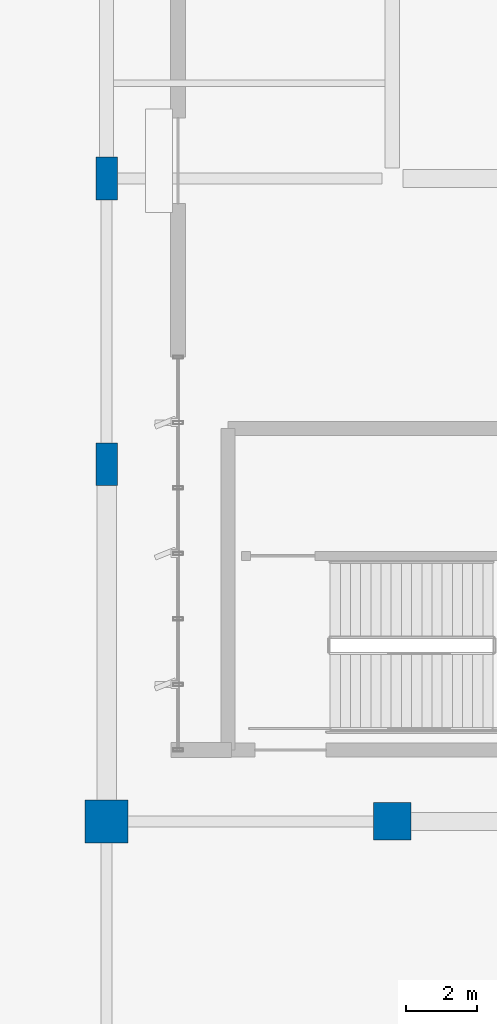
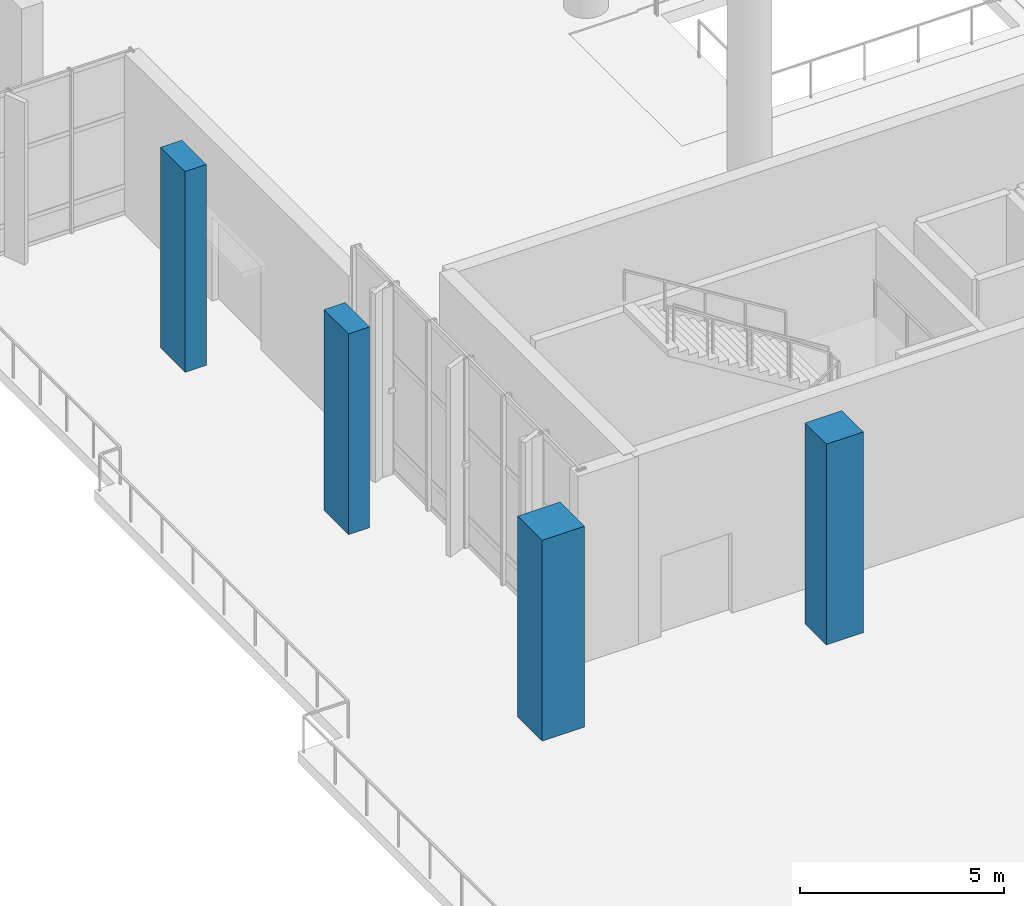
# One storey, part 3 of 163: 4 columns.
"""IFC4 building model written with IfcOpenShell, lengths in metres."""

from ifc_helpers import new_model, si_unit, direction, frame, origin, origin_2d, place, context, subcontext, project, spatial, rectangle, extrude, material, material_profile, profile_set, type_object, element, save


model = new_model("IFC4")

# Units and contexts
model_context = context("Model", 3, precision=1e-05, world=origin(), true_north=direction((0.0, 1.0)))
body_context = subcontext(model_context, "Body", "Model", "MODEL_VIEW")
ifc_project = project(units=[si_unit("LENGTHUNIT", "METRE"), si_unit("AREAUNIT", "SQUARE_METRE"), si_unit("VOLUMEUNIT", "CUBIC_METRE"), si_unit("PLANEANGLEUNIT", "RADIAN"), si_unit("MASSUNIT", "GRAM", prefix="KILO")], contexts=[model_context])

# Site, building, storey
site_placement = place(None, origin())
site = spatial("IfcSite", under=ifc_project, at=site_placement, CompositionType="ELEMENT")
building_placement = place(site_placement, origin())
building = spatial("IfcBuilding", under=site, at=building_placement, Name="Khorjan Park Terminus", CompositionType="ELEMENT")
storey_placement = place(building_placement, origin())
storey = spatial("IfcBuildingStorey", under=building, at=storey_placement, Name="L00", CompositionType="ELEMENT", Elevation=0.0)

# Columns
ifc_material = material(Name="Concrete C50/60", Category="concrete")
ifc_material_profile_1 = material_profile(ifc_material, rectangle(XDim=0.6, YDim=1.2, at=origin_2d()), Name="RC 600x1200")
ifc_profile_set_1 = profile_set([ifc_material_profile_1], Name="Concrete C50/60")
column_type_1 = type_object("IfcColumnType", Name="COL-BL1200", PredefinedType="COLUMN", material=ifc_profile_set_1)
for number, where, z_axis, x_axis, name in (
    (1, (48.0, 36.0, 0.0), (0.0, 0.0, 1.0), (1.0, 0.0, 0.0), "Structural column C-BL12 (L00 #236)"),
    (2, (48.0, 44.0, 0.0), (0.0, 0.0, 1.0), (1.0, 0.0, 0.0), "Structural column C-BL12 (L00 #241)"),
):
    element("IfcColumn", number, at=place(storey_placement, frame(where, z_axis=z_axis, x_axis=x_axis)), inside=storey, type_object=column_type_1, Name=name, PredefinedType="COLUMN", context=body_context, shape_type="SweptSolid", body=[
        extrude(rectangle(XDim=0.6, YDim=1.2, at=origin_2d()), origin(), (0.0, 0.0, 1.0), 6.0),
    ])
ifc_material_profile_2 = material_profile(ifc_material, rectangle(XDim=1.05, YDim=1.05, at=origin_2d()), Name="RC 1050x1050")
ifc_profile_set_2 = profile_set([ifc_material_profile_2], Name="Concrete C50/60")
column_type_2 = type_object("IfcColumnType", Name="COL-RC1050", PredefinedType="COLUMN", material=ifc_profile_set_2)
column_1_placement = place(storey_placement, frame((56.0, 26.0, 0.0), z_axis=(0.0, 0.0, 1.0), x_axis=(1.0, 0.0, 0.0)))
element("IfcColumn", 3, at=column_1_placement, inside=storey, type_object=column_type_2, Name="Structural column C-RC105 (L00 #271)", PredefinedType="COLUMN", context=body_context, shape_type="SweptSolid", body=[
    extrude(rectangle(XDim=1.05, YDim=1.05, at=origin_2d()), origin(), (0.0, 0.0, 1.0), 6.0),
])
ifc_material_profile_3 = material_profile(ifc_material, rectangle(XDim=1.2, YDim=1.2, at=origin_2d()), Name="RC 1200x1200")
ifc_profile_set_3 = profile_set([ifc_material_profile_3], Name="Concrete C50/60")
column_type_3 = type_object("IfcColumnType", Name="COL-RC1200", PredefinedType="COLUMN", material=ifc_profile_set_3)
column_2_placement = place(storey_placement, frame((48.0, 26.0, 0.0), z_axis=(0.0, 0.0, 1.0), x_axis=(1.0, 0.0, 0.0)))
element("IfcColumn", 4, at=column_2_placement, inside=storey, type_object=column_type_3, Name="Structural column C-RC12 (L00 #231)", PredefinedType="COLUMN", context=body_context, shape_type="SweptSolid", body=[
    extrude(rectangle(XDim=1.2, YDim=1.2, at=origin_2d()), origin(), (0.0, 0.0, 1.0), 6.0),
])

save(model, "model.ifc")
